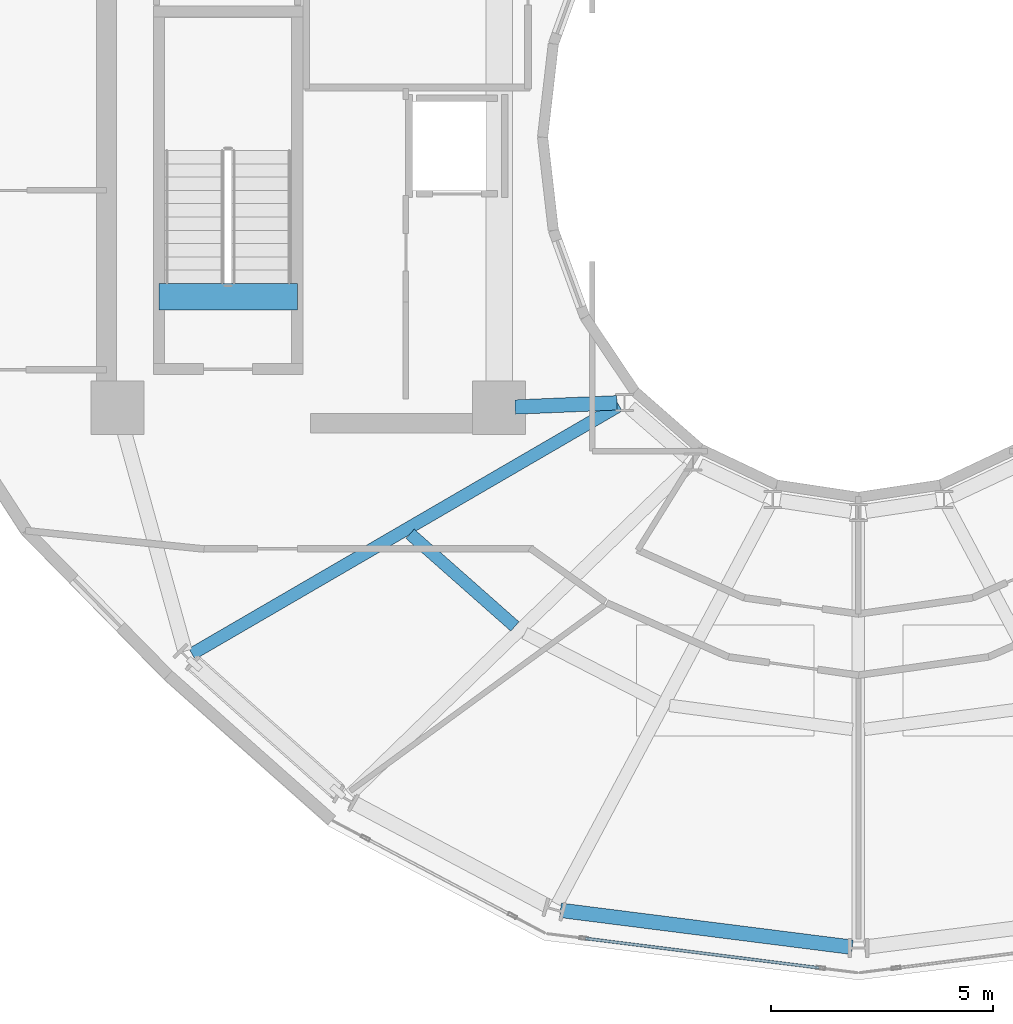
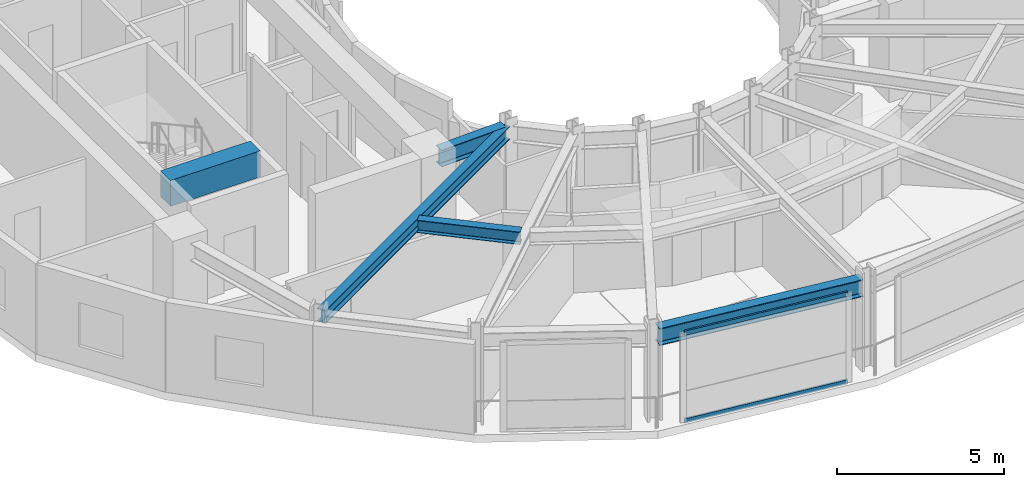
# One storey, part 3 of 19: 5 beams, 2 members, 1 element without a shape of its own.
"""IFC4 building model written with IfcOpenShell, lengths in metres."""

from ifc_helpers import new_model, si_unit, direction, frame, origin, origin_2d, place, context, subcontext, project, spatial, rectangle, hollow_rectangle, i_section, extrude, material, layer, layer_set, material_profile, profile_set, type_object, element, aggregate, save


model = new_model("IFC4")

# Units and contexts
model_context = context("Model", 3, precision=1e-05, world=origin(), true_north=direction((0.0, 1.0)))
body_context = subcontext(model_context, "Body", "Model", "MODEL_VIEW")
ifc_project = project(units=[si_unit("LENGTHUNIT", "METRE"), si_unit("AREAUNIT", "SQUARE_METRE"), si_unit("VOLUMEUNIT", "CUBIC_METRE"), si_unit("PLANEANGLEUNIT", "RADIAN"), si_unit("MASSUNIT", "GRAM", prefix="KILO")], contexts=[model_context])

# Site, building, storey
site_placement = place(None, origin())
site = spatial("IfcSite", under=ifc_project, at=site_placement, CompositionType="ELEMENT")
building_placement = place(site_placement, origin())
building = spatial("IfcBuilding", under=site, at=building_placement, Name="Solvane Sanctuary Tower", CompositionType="ELEMENT")
storey_placement = place(building_placement, frame((0.0, 0.0, 242.39990234375)))
storey = spatial("IfcBuildingStorey", under=building, at=storey_placement, Name="L74", CompositionType="ELEMENT", Elevation=242.39990234375)

# Beams
ifc_material_1 = material(Name="Concrete C70/85", Category="concrete")
ifc_material_profile_1 = material_profile(ifc_material_1, rectangle(XDim=0.60009765625, YDim=0.949951171875, at=origin_2d()), Name="RC600X950")
ifc_profile_set_1 = profile_set([ifc_material_profile_1], Name="Concrete C70/85")
beam_type_1 = type_object("IfcBeamType", Name="Beam B-COUPLE RC600X950", PredefinedType="LINTEL", material=ifc_profile_set_1)
beam_1_placement = place(storey_placement, frame((16.22998046875, 19.399169921875, 3.125), z_axis=(1.0, 0.0, 0.0), x_axis=(0.0, 1.0, 0.0)))
element("IfcBeam", 1, at=beam_1_placement, inside=storey, type_object=beam_type_1, Name="L74 ST-1 Stair Floor Landing Trimmer", PredefinedType="LINTEL", context=body_context, shape_type="SweptSolid", body=[
    extrude(rectangle(XDim=0.60009765625, YDim=0.949951171875, at=origin_2d()), origin(), (0.0, 0.0, 1.0), 3.1201171875),
])
ifc_material_2 = material(Name="Steel ASTM A992 Grade 50", Category="steel")
ifc_material_profile_2 = material_profile(ifc_material_2, i_section(OverallWidth=0.282958984375, OverallDepth=0.471923828125, WebThickness=0.013671875, FlangeThickness=0.022216796875, FilletRadius=0.013916015625, at=origin_2d()), Name="W18X97")
ifc_profile_set_2 = profile_set([ifc_material_profile_2], Name="Steel ASTM A992 Grade 50")
beam_type_2 = type_object("IfcBeamType", Name="Beam B-RAD-Z4 W18X97", PredefinedType="JOIST", material=ifc_profile_set_2)
beam_2_placement = place(storey_placement, frame((26.60400390625, 16.947509765625, 3.08203125), z_axis=(-0.864496775109, -0.502638364857, 0.0), x_axis=(0.502638364857, -0.864496775109, 0.0)))
element("IfcBeam", 2, at=beam_2_placement, inside=storey, type_object=beam_type_2, Name="L74 Radial Composite Floor Beam 08", PredefinedType="JOIST", context=body_context, shape_type="SweptSolid", body=[
    extrude(i_section(OverallWidth=0.282958984375, OverallDepth=0.471923828125, WebThickness=0.013671875, FlangeThickness=0.022216796875, FilletRadius=0.013916015625, at=origin_2d()), origin(), (0.0, 0.0, 1.0), 11.136962890625),
])
ifc_material_profile_3 = material_profile(ifc_material_2, i_section(OverallWidth=0.324951171875, OverallDepth=0.615966796875, WebThickness=0.013916015625, FlangeThickness=0.021484375, FilletRadius=0.01611328125, at=origin_2d()), Name="W24X117")
ifc_profile_set_3 = profile_set([ifc_material_profile_3], Name="Steel ASTM A992 Grade 50")
beam_type_3 = type_object("IfcBeamType", Name="Beam B-RING-IN2 W24X117", PredefinedType="BEAM", material=ifc_profile_set_3)
beam_3_placement = place(storey_placement, frame((24.259765625, 16.9150390625, 3.010009765625), z_axis=(0.9991319677, 0.04165706566, 0.0), x_axis=(-0.04165706566, 0.9991319677, 0.0)))
element("IfcBeam", 3, at=beam_3_placement, inside=storey, type_object=beam_type_3, Name="L74 Inner Light-Well Ring Beam CW2-IC08", PredefinedType="BEAM", context=body_context, shape_type="SweptSolid", body=[
    extrude(i_section(OverallWidth=0.324951171875, OverallDepth=0.615966796875, WebThickness=0.013916015625, FlangeThickness=0.021484375, FilletRadius=0.01611328125, at=origin_2d()), origin(), (0.0, 0.0, 1.0), 2.29736328125),
])
ifc_material_profile_4 = material_profile(ifc_material_2, i_section(OverallWidth=0.280029296875, OverallDepth=0.462890625, WebThickness=0.0107421875, FlangeThickness=0.017333984375, FilletRadius=0.013916015625, at=origin_2d()), Name="W18X76")
ifc_profile_set_4 = profile_set([ifc_material_profile_4], Name="Steel ASTM A992 Grade 50")
beam_type_4 = type_object("IfcBeamType", Name="Beam B-SEC-JOIST W18X76", PredefinedType="JOIST", material=ifc_profile_set_4)
beam_4_placement = place(storey_placement, frame((21.892333984375, 14.05810546875, 3.086669921875), z_axis=(0.749354102876, -0.662169486236, 0.0), x_axis=(0.662169486236, 0.749354102876, 0.0)))
element("IfcBeam", 4, at=beam_4_placement, inside=storey, type_object=beam_type_4, Name="L74 Secondary Circumferential Joist 08-09", PredefinedType="JOIST", context=body_context, shape_type="SweptSolid", body=[
    extrude(i_section(OverallWidth=0.280029296875, OverallDepth=0.462890625, WebThickness=0.0107421875, FlangeThickness=0.017333984375, FilletRadius=0.013916015625, at=origin_2d()), origin(), (0.0, 0.0, 1.0), 3.153076171875),
])
ifc_material_profile_5 = material_profile(ifc_material_2, i_section(OverallWidth=0.327880859375, OverallDepth=0.6279296875, WebThickness=0.0166015625, FlangeThickness=0.027587890625, FilletRadius=0.01611328125, at=origin_2d()), Name="W24X146")
ifc_profile_set_5 = profile_set([ifc_material_profile_5], Name="Steel ASTM A992 Grade 50")
beam_type_5 = type_object("IfcBeamType", Name="Beam B-SPAND-Z3 W24X146", PredefinedType="SPANDREL", material=ifc_profile_set_5)
beam_5_placement = place(storey_placement, frame((25.28271484375, 5.571044921875, 3.004150390625), z_axis=(0.992068601394, -0.125697613849, 0.0), x_axis=(0.125697613849, 0.992068601394, 0.0)))
element("IfcBeam", 5, at=beam_5_placement, inside=storey, type_object=beam_type_5, Name="L74 Perimeter Spandrel Beam TC10-TC11", PredefinedType="SPANDREL", context=body_context, shape_type="SweptSolid", body=[
    extrude(i_section(OverallWidth=0.327880859375, OverallDepth=0.6279296875, WebThickness=0.0166015625, FlangeThickness=0.027587890625, FilletRadius=0.01611328125, at=origin_2d()), origin(), (0.0, 0.0, 1.0), 6.630859375),
])

# Curtain wall, members
ifc_material_3 = material(Name="Anodised Aluminium 6063-T6", Category="aluminium")
ifc_layer = layer(ifc_material_3, 0.18994140625, Name="Anodised Aluminium 6063-T6")
ifc_layer_set = layer_set([ifc_layer], Name="Anodised Aluminium 6063-T6")
curtain_wall_type = type_object("IfcCurtainWallType", Name="Curtain Wall CW-OPER", PredefinedType="NOTDEFINED", material=ifc_layer_set)
curtain_wall_placement = place(storey_placement, origin())
curtain_wall = element("IfcCurtainWall", 6, at=curtain_wall_placement, inside=storey, type_object=curtain_wall_type, Name="L74 CW-OPER Facade Run 17", PredefinedType="NOTDEFINED")
ifc_material_profile_6 = material_profile(ifc_material_3, hollow_rectangle(XDim=0.06494140625, YDim=0.159912109375, WallThickness=0.00341796875, at=origin_2d()), Name="ALU160X65X3.5")
ifc_profile_set_6 = profile_set([ifc_material_profile_6], Name="Anodised Aluminium 6063-T6")
member_type = type_object("IfcMemberType", Name="Member M-CW-TRN-1 ALU160X65X3.5", PredefinedType="USERDEFINED", material=ifc_profile_set_6)
member_1_placement = place(storey_placement, frame((25.844970703125, 4.9365234375, 0.03271484375), z_axis=(0.992179929781, -0.124815812062, 0.0), x_axis=(0.124815812062, 0.992179929781, 0.0)))
member_1 = element("IfcMember", 7, at=member_1_placement, type_object=member_type, Name="CW-OPER transom 1.1", ObjectType="TRANSOM", PredefinedType="USERDEFINED", context=body_context, shape_type="SweptSolid", body=[
    extrude(hollow_rectangle(XDim=0.06494140625, YDim=0.159912109375, WallThickness=0.00341796875, at=origin_2d()), origin(), (0.0, 0.0, 1.0), 5.30859375),
])
member_2_placement = place(storey_placement, frame((25.844970703125, 4.9365234375, 3.24755859375), z_axis=(0.992179929781, -0.124815812062, 0.0), x_axis=(0.124815812062, 0.992179929781, 0.0)))
member_2 = element("IfcMember", 8, at=member_2_placement, type_object=member_type, Name="CW-OPER transom 1.2", ObjectType="TRANSOM", PredefinedType="USERDEFINED", context=body_context, shape_type="SweptSolid", body=[
    extrude(hollow_rectangle(XDim=0.06494140625, YDim=0.159912109375, WallThickness=0.00341796875, at=origin_2d()), origin(), (0.0, 0.0, 1.0), 5.30859375),
])
aggregate(curtain_wall, [member_1, member_2])

save(model, "model.ifc")
